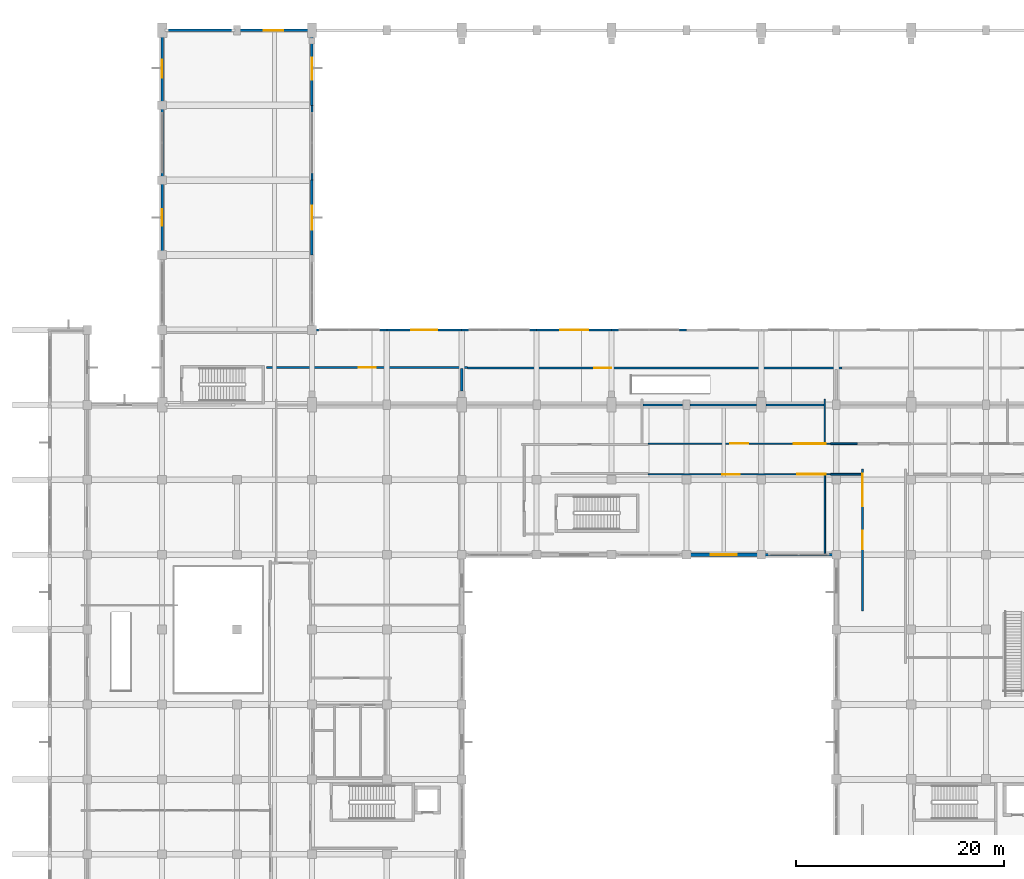
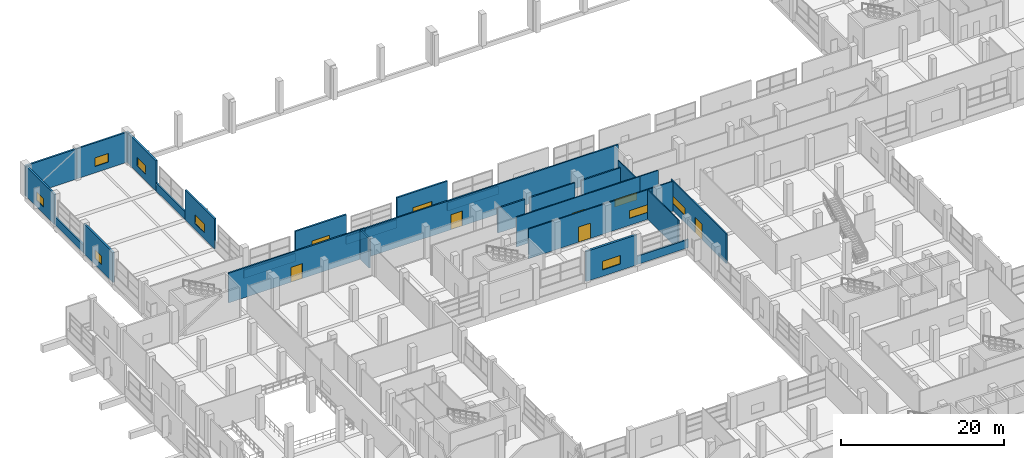
# One storey, part 162 of 181: 28 walls, 11 windows, 5 doors, 16 openings.
"""IFC4 building model written with IfcOpenShell, lengths in metres."""

from ifc_helpers import new_model, si_unit, direction, frame, frame_2d, origin, place, context, subcontext, project, spatial, rectangle, extrude, material, layer, layer_set, type_object, element, fill, save


model = new_model("IFC4")

# Units and contexts
model_context = context("Model", 3, precision=1e-05, world=origin(), true_north=direction((0.0, 1.0)))
body_context = subcontext(model_context, "Body", "Model", "MODEL_VIEW")
ifc_project = project(units=[si_unit("LENGTHUNIT", "METRE"), si_unit("AREAUNIT", "SQUARE_METRE"), si_unit("VOLUMEUNIT", "CUBIC_METRE"), si_unit("PLANEANGLEUNIT", "RADIAN"), si_unit("MASSUNIT", "GRAM", prefix="KILO")], contexts=[model_context])

# Site, building, storey
site_placement = place(None, origin())
site = spatial("IfcSite", under=ifc_project, at=site_placement, CompositionType="ELEMENT")
building_placement = place(site_placement, origin())
building = spatial("IfcBuilding", under=site, at=building_placement, Name="Seraya Terrace Polytechnic", CompositionType="ELEMENT")
storey_placement = place(building_placement, frame((0.0, 0.0, 4.800048828125)))
storey = spatial("IfcBuildingStorey", under=building, at=storey_placement, Name="L01", CompositionType="ELEMENT", Elevation=4.800048828125)

# Wall, opening, window
ifc_material_1 = material(Name="Concrete C40/50", Category="concrete")
ifc_layer_1 = layer(ifc_material_1, 0.300048828125, Name="EW-01")
ifc_layer_set_1 = layer_set([ifc_layer_1], Name="Concrete C40/50")
wall_type_1 = type_object("IfcWallType", Name="EW-01", PredefinedType="SOLIDWALL", material=ifc_layer_set_1)
wall_1_placement = place(storey_placement, frame((72.0, 64.800048828125, 0.0), z_axis=(0.0, 0.0, 1.0), x_axis=(-1.0, 0.0, 0.0)))
wall_1 = element("IfcWall", 1, at=wall_1_placement, inside=storey, type_object=wall_type_1, Name="Exterior structural wall EW-01 L01", PredefinedType="SOLIDWALL", context=body_context, shape_type="SweptSolid", body=[
    extrude(rectangle(XDim=7.199951171875, YDim=0.300048828125, at=frame_2d((3.60009765625, 0.0))), origin(), (0.0, 0.0, 1.0), 4.52001953125),
])
opening_1_placement = place(wall_1_placement, frame((2.35009765625, 0.0, 0.949951171875)))
opening_1 = element("IfcOpeningElement", 2, at=opening_1_placement, cuts=wall_1, Name="Opening WN-10", PredefinedType="OPENING", context=body_context, shape_type="SweptSolid", body=[
    extrude(rectangle(XDim=2.5, YDim=1.300048828125, at=frame_2d((1.25, 0.64990234375))), frame((0.0, 0.162109375, 0.0), z_axis=(0.0, -1.0, 0.0), x_axis=(1.0, 0.0, 0.0)), (0.0, 0.0, 1.0), 0.323974609375),
])
ifc_material_2 = material(Name="Laminated solar-control Low-E double glazing", Category="glass")
window_type_1 = type_object("IfcWindowType", Name="WN-10", PartitioningType="SINGLE_PANEL", PredefinedType="WINDOW", material=ifc_material_2)
window_1_placement = place(opening_1_placement, origin())
window_1 = element("IfcWindow", 3, at=window_1_placement, inside=storey, type_object=window_type_1, Name="Exterior window WN-10 L01", OverallHeight=1.300048828125, OverallWidth=2.5, PartitioningType="SINGLE_PANEL", PredefinedType="WINDOW", context=body_context, shape_type="SweptSolid", body=[
    extrude(rectangle(XDim=2.5, YDim=1.300048828125, at=frame_2d((1.25, 0.64990234375))), frame((0.0, 0.030029296875, 0.0), z_axis=(0.0, -1.0, 0.0), x_axis=(1.0, 0.0, 0.0)), (0.0, 0.0, 1.0), 0.06005859375),
])
fill(opening_1, window_1)

ifc_layer_2 = layer(ifc_material_1, 0.239990234375, Name="EW-04")
ifc_layer_set_2 = layer_set([ifc_layer_2], Name="Concrete C40/50")
wall_type_2 = type_object("IfcWallType", Name="EW-04", PredefinedType="SOLIDWALL", material=ifc_layer_set_2)
wall_2_placement = place(storey_placement, frame((14.39990234375, 93.60009765625, 0.0), z_axis=(0.0, 0.0, 1.0), x_axis=(0.0, 1.0, 0.0)))
wall_2 = element("IfcWall", 4, at=wall_2_placement, inside=storey, type_object=wall_type_2, Name="Exterior structural wall EW-04 L01", PredefinedType="SOLIDWALL", context=body_context, shape_type="SweptSolid", body=[
    extrude(rectangle(XDim=7.199951171875, YDim=0.239990234375, at=frame_2d((3.60009765625, 0.0))), origin(), (0.0, 0.0, 1.0), 4.52001953125),
])
opening_2_placement = place(wall_2_placement, frame((2.800048828125, 0.0, 0.949951171875)))
opening_2 = element("IfcOpeningElement", 5, at=opening_2_placement, cuts=wall_2, Name="Opening WN-05", PredefinedType="OPENING", context=body_context, shape_type="SweptSolid", body=[
    extrude(rectangle(XDim=1.60009765625, YDim=1.300048828125, at=frame_2d((0.800048828125, 0.64990234375))), frame((0.0, 0.1318359375, 0.0), z_axis=(0.0, -1.0, 0.0), x_axis=(1.0, 0.0, 0.0)), (0.0, 0.0, 1.0), 0.263916015625),
])
window_type_2 = type_object("IfcWindowType", Name="WN-05", PartitioningType="SINGLE_PANEL", PredefinedType="WINDOW", material=ifc_material_2)
window_2_placement = place(opening_2_placement, origin())
window_2 = element("IfcWindow", 6, at=window_2_placement, inside=storey, type_object=window_type_2, Name="Exterior window WN-05 L01", OverallHeight=1.300048828125, OverallWidth=1.60009765625, PartitioningType="SINGLE_PANEL", PredefinedType="WINDOW", context=body_context, shape_type="SweptSolid", body=[
    extrude(rectangle(XDim=1.60009765625, YDim=1.300048828125, at=frame_2d((0.800048828125, 0.64990234375))), frame((0.0, 0.030029296875, 0.0), z_axis=(0.0, -1.0, 0.0), x_axis=(1.0, 0.0, 0.0)), (0.0, 0.0, 1.0), 0.06005859375),
])
fill(opening_2, window_2)

wall_3_placement = place(storey_placement, frame((14.39990234375, 108.0, 0.0), z_axis=(0.0, 0.0, 1.0), x_axis=(0.0, 1.0, 0.0)))
wall_3 = element("IfcWall", 7, at=wall_3_placement, inside=storey, type_object=wall_type_2, Name="Exterior structural wall EW-04 L01", PredefinedType="SOLIDWALL", context=body_context, shape_type="SweptSolid", body=[
    extrude(rectangle(XDim=7.048095703125, YDim=0.239990234375, at=frame_2d((3.52392578125, 0.0))), origin(), (0.0, 0.0, 1.0), 4.52001953125),
])
opening_3_placement = place(wall_3_placement, frame((2.64892578125, 0.0, 0.949951171875)))
opening_3 = element("IfcOpeningElement", 8, at=opening_3_placement, cuts=wall_3, Name="Opening WN-06", PredefinedType="OPENING", context=body_context, shape_type="SweptSolid", body=[
    extrude(rectangle(XDim=1.75, YDim=1.300048828125, at=frame_2d((0.875, 0.64990234375))), frame((0.0, 0.1318359375, 0.0), z_axis=(0.0, -1.0, 0.0), x_axis=(1.0, 0.0, 0.0)), (0.0, 0.0, 1.0), 0.263916015625),
])
window_type_3 = type_object("IfcWindowType", Name="WN-06", PartitioningType="SINGLE_PANEL", PredefinedType="WINDOW", material=ifc_material_2)
window_3_placement = place(opening_3_placement, origin())
window_3 = element("IfcWindow", 9, at=window_3_placement, inside=storey, type_object=window_type_3, Name="Exterior window WN-06 L01", OverallHeight=1.300048828125, OverallWidth=1.75, PartitioningType="SINGLE_PANEL", PredefinedType="WINDOW", context=body_context, shape_type="SweptSolid", body=[
    extrude(rectangle(XDim=1.75, YDim=1.300048828125, at=frame_2d((0.875, 0.64990234375))), frame((0.0, 0.030029296875, 0.0), z_axis=(0.0, -1.0, 0.0), x_axis=(1.0, 0.0, 0.0)), (0.0, 0.0, 1.0), 0.06005859375),
])
fill(opening_3, window_3)

# Wall
wall_4_placement = place(storey_placement, frame((14.25, 115.199951171875, 0.0), z_axis=(0.0, 0.0, 1.0), x_axis=(1.0, 0.0, 0.0)))
element("IfcWall", 10, at=wall_4_placement, inside=storey, type_object=wall_type_2, Name="Exterior structural wall EW-04 L01", PredefinedType="SOLIDWALL", context=body_context, shape_type="SweptSolid", body=[
    extrude(rectangle(XDim=7.35009765625, YDim=0.239990234375, at=frame_2d((3.675048828125, 0.0))), origin(), (0.0, 0.0, 1.0), 4.52001953125),
])

# Wall, opening, window
wall_5_placement = place(storey_placement, frame((21.60009765625, 115.199951171875, 0.0), z_axis=(0.0, 0.0, 1.0), x_axis=(1.0, 0.0, 0.0)))
wall_5 = element("IfcWall", 11, at=wall_5_placement, inside=storey, type_object=wall_type_2, Name="Exterior structural wall EW-04 L01", PredefinedType="SOLIDWALL", context=body_context, shape_type="SweptSolid", body=[
    extrude(rectangle(XDim=7.349853515625, YDim=0.239990234375, at=frame_2d((3.6748046875, 0.0))), origin(), (0.0, 0.0, 1.0), 4.52001953125),
])
opening_4_placement = place(wall_5_placement, frame((2.550048828125, 0.0, 0.949951171875)))
opening_4 = element("IfcOpeningElement", 12, at=opening_4_placement, cuts=wall_5, Name="Opening WN-07", PredefinedType="OPENING", context=body_context, shape_type="SweptSolid", body=[
    extrude(rectangle(XDim=1.89990234375, YDim=1.300048828125, at=frame_2d((0.949951171875, 0.64990234375))), frame((0.0, 0.1318359375, 0.0), z_axis=(0.0, -1.0, 0.0), x_axis=(1.0, 0.0, 0.0)), (0.0, 0.0, 1.0), 0.263916015625),
])
window_type_4 = type_object("IfcWindowType", Name="WN-07", PartitioningType="SINGLE_PANEL", PredefinedType="WINDOW", material=ifc_material_2)
window_4_placement = place(opening_4_placement, origin())
window_4 = element("IfcWindow", 13, at=window_4_placement, inside=storey, type_object=window_type_4, Name="Exterior window WN-07 L01", OverallHeight=1.300048828125, OverallWidth=1.89990234375, PartitioningType="SINGLE_PANEL", PredefinedType="WINDOW", context=body_context, shape_type="SweptSolid", body=[
    extrude(rectangle(XDim=1.89990234375, YDim=1.300048828125, at=frame_2d((0.949951171875, 0.64990234375))), frame((0.0, 0.030029296875, 0.0), z_axis=(0.0, -1.0, 0.0), x_axis=(1.0, 0.0, 0.0)), (0.0, 0.0, 1.0), 0.06005859375),
])
fill(opening_4, window_4)

wall_6_placement = place(storey_placement, frame((28.800048828125, 115.048095703125, 0.0), z_axis=(0.0, 0.0, 1.0), x_axis=(0.0, -1.0, 0.0)))
wall_6 = element("IfcWall", 14, at=wall_6_placement, inside=storey, type_object=wall_type_2, Name="Exterior structural wall EW-04 L01", PredefinedType="SOLIDWALL", context=body_context, shape_type="SweptSolid", body=[
    extrude(rectangle(XDim=7.048095703125, YDim=0.239990234375, at=frame_2d((3.52392578125, 0.0))), origin(), (0.0, 0.0, 1.0), 4.52001953125),
])
opening_5_placement = place(wall_6_placement, frame((2.47412109375, 0.0, 0.949951171875)))
opening_5 = element("IfcOpeningElement", 15, at=opening_5_placement, cuts=wall_6, Name="Opening WN-08", PredefinedType="OPENING", context=body_context, shape_type="SweptSolid", body=[
    extrude(rectangle(XDim=2.10009765625, YDim=1.300048828125, at=frame_2d((1.050048828125, 0.64990234375))), frame((0.0, 0.1318359375, 0.0), z_axis=(0.0, -1.0, 0.0), x_axis=(1.0, 0.0, 0.0)), (0.0, 0.0, 1.0), 0.263916015625),
])
window_type_5 = type_object("IfcWindowType", Name="WN-08", PartitioningType="SINGLE_PANEL", PredefinedType="WINDOW", material=ifc_material_2)
window_5_placement = place(opening_5_placement, origin())
window_5 = element("IfcWindow", 16, at=window_5_placement, inside=storey, type_object=window_type_5, Name="Exterior window WN-08 L01", OverallHeight=1.300048828125, OverallWidth=2.10009765625, PartitioningType="SINGLE_PANEL", PredefinedType="WINDOW", context=body_context, shape_type="SweptSolid", body=[
    extrude(rectangle(XDim=2.10009765625, YDim=1.300048828125, at=frame_2d((1.050048828125, 0.64990234375))), frame((0.0, 0.030029296875, 0.0), z_axis=(0.0, -1.0, 0.0), x_axis=(1.0, 0.0, 0.0)), (0.0, 0.0, 1.0), 0.06005859375),
])
fill(opening_5, window_5)

wall_7_placement = place(storey_placement, frame((28.800048828125, 100.800048828125, 0.0), z_axis=(0.0, 0.0, 1.0), x_axis=(0.0, -1.0, 0.0)))
wall_7 = element("IfcWall", 17, at=wall_7_placement, inside=storey, type_object=wall_type_2, Name="Exterior structural wall EW-04 L01", PredefinedType="SOLIDWALL", context=body_context, shape_type="SweptSolid", body=[
    extrude(rectangle(XDim=7.199951171875, YDim=0.239990234375, at=frame_2d((3.60009765625, 0.0))), origin(), (0.0, 0.0, 1.0), 4.52001953125),
])
opening_6_placement = place(wall_7_placement, frame((2.449951171875, 0.0, 0.949951171875)))
opening_6 = element("IfcOpeningElement", 18, at=opening_6_placement, cuts=wall_7, Name="Opening WN-09", PredefinedType="OPENING", context=body_context, shape_type="SweptSolid", body=[
    extrude(rectangle(XDim=2.300048828125, YDim=1.300048828125, at=frame_2d((1.14990234375, 0.64990234375))), frame((0.0, 0.1318359375, 0.0), z_axis=(0.0, -1.0, 0.0), x_axis=(1.0, 0.0, 0.0)), (0.0, 0.0, 1.0), 0.263916015625),
])
window_type_6 = type_object("IfcWindowType", Name="WN-09", PartitioningType="SINGLE_PANEL", PredefinedType="WINDOW", material=ifc_material_2)
window_6_placement = place(opening_6_placement, origin())
window_6 = element("IfcWindow", 19, at=window_6_placement, inside=storey, type_object=window_type_6, Name="Exterior window WN-09 L01", OverallHeight=1.300048828125, OverallWidth=2.300048828125, PartitioningType="SINGLE_PANEL", PredefinedType="WINDOW", context=body_context, shape_type="SweptSolid", body=[
    extrude(rectangle(XDim=2.300048828125, YDim=1.300048828125, at=frame_2d((1.14990234375, 0.64990234375))), frame((0.0, 0.030029296875, 0.0), z_axis=(0.0, -1.0, 0.0), x_axis=(1.0, 0.0, 0.0)), (0.0, 0.0, 1.0), 0.06005859375),
])
fill(opening_6, window_6)

wall_8_placement = place(storey_placement, frame((36.0, 86.39990234375, 0.0), z_axis=(0.0, 0.0, 1.0), x_axis=(1.0, 0.0, 0.0)))
wall_8 = element("IfcWall", 20, at=wall_8_placement, inside=storey, type_object=wall_type_2, Name="Exterior structural wall EW-04 L01", PredefinedType="SOLIDWALL", context=body_context, shape_type="SweptSolid", body=[
    extrude(rectangle(XDim=7.199951171875, YDim=0.239990234375, at=frame_2d((3.60009765625, 0.0))), origin(), (0.0, 0.0, 1.0), 4.52001953125),
])
opening_7_placement = place(wall_8_placement, frame((2.35009765625, 0.0, 0.949951171875)))
opening_7 = element("IfcOpeningElement", 21, at=opening_7_placement, cuts=wall_8, Name="Opening WN-10", PredefinedType="OPENING", context=body_context, shape_type="SweptSolid", body=[
    extrude(rectangle(XDim=2.5, YDim=1.300048828125, at=frame_2d((1.25, 0.64990234375))), frame((0.0, 0.1318359375, 0.0), z_axis=(0.0, -1.0, 0.0), x_axis=(1.0, 0.0, 0.0)), (0.0, 0.0, 1.0), 0.263916015625),
])
window_7_placement = place(opening_7_placement, origin())
window_7 = element("IfcWindow", 22, at=window_7_placement, inside=storey, type_object=window_type_1, Name="Exterior window WN-10 L01", OverallHeight=1.300048828125, OverallWidth=2.5, PartitioningType="SINGLE_PANEL", PredefinedType="WINDOW", context=body_context, shape_type="SweptSolid", body=[
    extrude(rectangle(XDim=2.5, YDim=1.300048828125, at=frame_2d((1.25, 0.64990234375))), frame((0.0, 0.030029296875, 0.0), z_axis=(0.0, -1.0, 0.0), x_axis=(1.0, 0.0, 0.0)), (0.0, 0.0, 1.0), 0.06005859375),
])
fill(opening_7, window_7)

wall_9_placement = place(storey_placement, frame((50.39990234375, 86.39990234375, 0.0), z_axis=(0.0, 0.0, 1.0), x_axis=(1.0, 0.0, 0.0)))
wall_9 = element("IfcWall", 23, at=wall_9_placement, inside=storey, type_object=wall_type_2, Name="Exterior structural wall EW-04 L01", PredefinedType="SOLIDWALL", context=body_context, shape_type="SweptSolid", body=[
    extrude(rectangle(XDim=7.2001953125, YDim=0.239990234375, at=frame_2d((3.60009765625, 0.0))), origin(), (0.0, 0.0, 1.0), 4.52001953125),
])
opening_8_placement = place(wall_9_placement, frame((2.25, 0.0, 0.949951171875)))
opening_8 = element("IfcOpeningElement", 24, at=opening_8_placement, cuts=wall_9, Name="Opening WN-11", PredefinedType="OPENING", context=body_context, shape_type="SweptSolid", body=[
    extrude(rectangle(XDim=2.699951171875, YDim=1.300048828125, at=frame_2d((1.35009765625, 0.64990234375))), frame((0.0, 0.1318359375, 0.0), z_axis=(0.0, -1.0, 0.0), x_axis=(1.0, 0.0, 0.0)), (0.0, 0.0, 1.0), 0.263916015625),
])
window_type_7 = type_object("IfcWindowType", Name="WN-11", PartitioningType="SINGLE_PANEL", PredefinedType="WINDOW", material=ifc_material_2)
window_8_placement = place(opening_8_placement, origin())
window_8 = element("IfcWindow", 25, at=window_8_placement, inside=storey, type_object=window_type_7, Name="Exterior window WN-11 L01", OverallHeight=1.300048828125, OverallWidth=2.699951171875, PartitioningType="SINGLE_PANEL", PredefinedType="WINDOW", context=body_context, shape_type="SweptSolid", body=[
    extrude(rectangle(XDim=2.699951171875, YDim=1.300048828125, at=frame_2d((1.35009765625, 0.64990234375))), frame((0.0, 0.030029296875, 0.0), z_axis=(0.0, -1.0, 0.0), x_axis=(1.0, 0.0, 0.0)), (0.0, 0.0, 1.0), 0.06005859375),
])
fill(opening_8, window_8)

# Walls
ifc_material_3 = material(Name="Precast concrete C40/50", Category="concrete")
ifc_layer_3 = layer(ifc_material_3, 0.219970703125, Name="EW-05")
ifc_layer_set_3 = layer_set([ifc_layer_3], Name="Precast concrete C40/50")
wall_type_3 = type_object("IfcWallType", Name="EW-05", PredefinedType="SOLIDWALL", material=ifc_layer_set_3)
for number, where, z_axis, x_axis, name in (
    (26, (14.39990234375, 100.800048828125, 0.0), (0.0, 0.0, 1.0), (0.0, 1.0, 0.0), "Precast spandrel wall L01"),
    (27, (28.800048828125, 108.0, 0.0), (0.0, 0.0, 1.0), (0.0, -1.0, 0.0), "Precast spandrel wall L01"),
):
    element("IfcWall", number, at=place(storey_placement, frame(where, z_axis=z_axis, x_axis=x_axis)), inside=storey, type_object=wall_type_3, Name=name, PredefinedType="SOLIDWALL", context=body_context, shape_type="SweptSolid", body=[
        extrude(rectangle(XDim=7.199951171875, YDim=0.219970703125, at=frame_2d((3.60009765625, 0.0))), origin(), (0.0, 0.0, 1.0), 1.239990234375),
    ])
wall_10_placement = place(storey_placement, frame((28.64990234375, 86.39990234375, 0.0), z_axis=(0.0, 0.0, 1.0), x_axis=(1.0, 0.0, 0.0)))
element("IfcWall", 28, at=wall_10_placement, inside=storey, type_object=wall_type_3, Name="Precast spandrel wall L01", PredefinedType="SOLIDWALL", context=body_context, shape_type="SweptSolid", body=[
    extrude(rectangle(XDim=7.35009765625, YDim=0.219970703125, at=frame_2d((3.675048828125, 0.0))), origin(), (0.0, 0.0, 1.0), 1.239990234375),
])
for number, where, z_axis, x_axis, name in (
    (29, (43.199951171875, 86.39990234375, 0.0), (0.0, 0.0, 1.0), (1.0, 0.0, 0.0), "Precast spandrel wall L01"),
    (30, (57.60009765625, 86.39990234375, 0.0), (0.0, 0.0, 1.0), (1.0, 0.0, 0.0), "Precast spandrel wall L01"),
):
    element("IfcWall", number, at=place(storey_placement, frame(where, z_axis=z_axis, x_axis=x_axis)), inside=storey, type_object=wall_type_3, Name=name, PredefinedType="SOLIDWALL", context=body_context, shape_type="SweptSolid", body=[
        extrude(rectangle(XDim=7.199951171875, YDim=0.219970703125, at=frame_2d((3.60009765625, 0.0))), origin(), (0.0, 0.0, 1.0), 1.239990234375),
    ])
wall_11_placement = place(storey_placement, frame((79.35009765625, 64.800048828125, 0.0), z_axis=(0.0, 0.0, 1.0), x_axis=(-1.0, 0.0, 0.0)))
element("IfcWall", 31, at=wall_11_placement, inside=storey, type_object=wall_type_3, Name="Precast spandrel wall L01", PredefinedType="SOLIDWALL", context=body_context, shape_type="SweptSolid", body=[
    extrude(rectangle(XDim=7.35009765625, YDim=0.219970703125, at=frame_2d((3.675048828125, 0.0))), origin(), (0.0, 0.0, 1.0), 1.239990234375),
])

# Wall, opening, door
ifc_material_4 = material(Name="Autoclaved aerated concrete blockwork", Category="masonry")
ifc_layer_4 = layer(ifc_material_4, 0.199951171875, Name="PT-01")
ifc_layer_set_4 = layer_set([ifc_layer_4], Name="Autoclaved aerated concrete blockwork")
wall_type_4 = type_object("IfcWallType", Name="PT-01", PredefinedType="PARTITIONING", material=ifc_layer_set_4)
wall_12_placement = place(storey_placement, frame((24.429931640625, 82.800048828125, 0.0), z_axis=(0.0, 0.0, 1.0), x_axis=(1.0, 0.0, 0.0)))
wall_12 = element("IfcWall", 32, at=wall_12_placement, inside=storey, type_object=wall_type_4, Name="Internal partition PT-01 L01", PredefinedType="PARTITIONING", context=body_context, shape_type="SweptSolid", body=[
    extrude(rectangle(XDim=19.341552734375, YDim=0.199951171875, at=frame_2d((9.6708984375, 0.0))), origin(), (0.0, 0.0, 1.0), 4.4599609375),
])
opening_9_placement = place(wall_12_placement, frame((8.850830078125, 0.0, 0.0)))
opening_9 = element("IfcOpeningElement", 33, at=opening_9_placement, cuts=wall_12, Name="Opening FD-03", PredefinedType="OPENING", context=body_context, shape_type="SweptSolid", body=[
    extrude(rectangle(XDim=1.639892578125, YDim=2.239990234375, at=frame_2d((0.81982421875, 1.1201171875))), frame((0.0, 0.11181640625, 0.0), z_axis=(0.0, -1.0, 0.0), x_axis=(1.0, 0.0, 0.0)), (0.0, 0.0, 1.0), 0.223876953125),
])
ifc_material_5 = material(Name="Steel S355J2", Category="steel")
door_type_1 = type_object("IfcDoorType", Name="FD-03", OperationType="DOUBLE_DOOR_SINGLE_SWING", PredefinedType="DOOR", material=ifc_material_5)
door_1_placement = place(opening_9_placement, origin())
door_1 = element("IfcDoor", 34, at=door_1_placement, inside=storey, type_object=door_type_1, Name="Door FD-03 DR-INT-L01-0070 in WL-INT-L01-0316", OperationType="DOUBLE_DOOR_SINGLE_SWING", OverallHeight=2.239990234375, OverallWidth=1.639892578125, PredefinedType="DOOR", context=body_context, shape_type="SweptSolid", body=[
    extrude(rectangle(XDim=1.639892578125, YDim=2.239990234375, at=frame_2d((0.81982421875, 1.1201171875))), frame((0.0, 0.02490234375, 0.0), z_axis=(0.0, -1.0, 0.0), x_axis=(1.0, 0.0, 0.0)), (0.0, 0.0, 1.0), 0.050048828125),
])
fill(opening_9, door_1)

wall_13_placement = place(storey_placement, frame((43.771484375, 82.72998046875, 0.0), z_axis=(0.0, 0.0, 1.0), x_axis=(1.0, 0.0, 0.0)))
wall_13 = element("IfcWall", 35, at=wall_13_placement, inside=storey, type_object=wall_type_4, Name="Internal partition PT-01 L01", PredefinedType="PARTITIONING", context=body_context, shape_type="SweptSolid", body=[
    extrude(rectangle(XDim=35.988525390625, YDim=0.199951171875, at=frame_2d((17.994140625, 0.0))), origin(), (0.0, 0.0, 1.0), 4.4599609375),
])
opening_10_placement = place(wall_13_placement, frame((12.17431640625, 0.0, 0.0)))
opening_10 = element("IfcOpeningElement", 36, at=opening_10_placement, cuts=wall_13, Name="Opening FD-03", PredefinedType="OPENING", context=body_context, shape_type="SweptSolid", body=[
    extrude(rectangle(XDim=1.639892578125, YDim=2.239990234375, at=frame_2d((0.81982421875, 1.1201171875))), frame((0.0, 0.11181640625, 0.0), z_axis=(0.0, -1.0, 0.0), x_axis=(1.0, 0.0, 0.0)), (0.0, 0.0, 1.0), 0.223876953125),
])
door_2_placement = place(opening_10_placement, origin())
door_2 = element("IfcDoor", 37, at=door_2_placement, inside=storey, type_object=door_type_1, Name="Door FD-03 DR-INT-L01-0068 in WL-INT-L01-0317", OperationType="DOUBLE_DOOR_SINGLE_SWING", OverallHeight=2.239990234375, OverallWidth=1.639892578125, PredefinedType="DOOR", context=body_context, shape_type="SweptSolid", body=[
    extrude(rectangle(XDim=1.639892578125, YDim=2.239990234375, at=frame_2d((0.81982421875, 1.1201171875))), frame((0.0, 0.02490234375, 0.0), z_axis=(0.0, -1.0, 0.0), x_axis=(1.0, 0.0, 0.0)), (0.0, 0.0, 1.0), 0.050048828125),
])
fill(opening_10, door_2)

# Walls
wall_14_placement = place(storey_placement, frame((65.159912109375, 79.199951171875, 0.0), z_axis=(0.0, 0.0, 1.0), x_axis=(1.0, 0.0, 0.0)))
element("IfcWall", 38, at=wall_14_placement, inside=storey, type_object=wall_type_4, Name="Internal partition PT-01 L01", PredefinedType="PARTITIONING", context=body_context, shape_type="SweptSolid", body=[
    extrude(rectangle(XDim=6.380126953125, YDim=0.199951171875, at=frame_2d((3.18994140625, 0.0))), origin(), (0.0, 0.0, 1.0), 3.72998046875),
])
wall_15_placement = place(storey_placement, frame((72.4599609375, 79.199951171875, 0.0), z_axis=(0.0, 0.0, 1.0), x_axis=(1.0, 0.0, 0.0)))
element("IfcWall", 39, at=wall_15_placement, inside=storey, type_object=wall_type_4, Name="Internal partition PT-01 L01", PredefinedType="PARTITIONING", context=body_context, shape_type="SweptSolid", body=[
    extrude(rectangle(XDim=5.567138671875, YDim=0.199951171875, at=frame_2d((2.78369140625, 0.0))), origin(), (0.0, 0.0, 1.0), 3.72998046875),
])
wall_16_placement = place(storey_placement, frame((60.61669921875, 79.199951171875, 0.0), z_axis=(0.0, 0.0, 1.0), x_axis=(1.0, 0.0, 0.0)))
element("IfcWall", 40, at=wall_16_placement, inside=storey, type_object=wall_type_4, Name="Internal partition PT-01 L01", PredefinedType="PARTITIONING", context=body_context, shape_type="SweptSolid", body=[
    extrude(rectangle(XDim=3.8232421875, YDim=0.199951171875, at=frame_2d((1.91162109375, 0.0))), origin(), (0.0, 0.0, 1.0), 3.72998046875),
])
wall_17_placement = place(storey_placement, frame((43.199951171875, 80.530029296875, 0.0), z_axis=(0.0, 0.0, 1.0), x_axis=(0.0, 1.0, 0.0)))
element("IfcWall", 41, at=wall_17_placement, inside=storey, type_object=wall_type_4, Name="Internal partition PT-01 L01", PredefinedType="PARTITIONING", context=body_context, shape_type="SweptSolid", body=[
    extrude(rectangle(XDim=2.155029296875, YDim=0.199951171875, at=frame_2d((1.07763671875, 0.0))), origin(), (0.0, 0.0, 1.0), 4.4599609375),
])

# Wall, openings, door, window
ifc_layer_5 = layer(ifc_material_4, 0.169921875, Name="PT-02")
ifc_layer_set_5 = layer_set([ifc_layer_5], Name="Autoclaved aerated concrete blockwork")
wall_type_5 = type_object("IfcWallType", Name="PT-02", PredefinedType="PARTITIONING", material=ifc_layer_set_5)
wall_18_placement = place(storey_placement, frame((81.72998046875, 59.39501953125, 0.0), z_axis=(0.0, 0.0, 1.0), x_axis=(0.0, 1.0, 0.0)))
wall_18 = element("IfcWall", 42, at=wall_18_placement, inside=storey, type_object=wall_type_5, Name="Internal partition PT-02 L01", PredefinedType="PARTITIONING", context=body_context, shape_type="SweptSolid", body=[
    extrude(rectangle(XDim=13.625, YDim=0.169921875, at=frame_2d((6.8125, 0.0))), origin(), (0.0, 0.0, 1.0), 4.4599609375),
])
opening_11_placement = place(wall_18_placement, frame((5.9326171875, 0.0, 0.0)))
opening_11 = element("IfcOpeningElement", 43, at=opening_11_placement, cuts=wall_18, Name="Opening ID-14", PredefinedType="OPENING", context=body_context, shape_type="SweptSolid", body=[
    extrude(rectangle(XDim=1.760009765625, YDim=2.300048828125, at=frame_2d((0.8798828125, 1.14990234375))), frame((0.0, 0.096923828125, 0.0), z_axis=(0.0, -1.0, 0.0), x_axis=(1.0, 0.0, 0.0)), (0.0, 0.0, 1.0), 0.19384765625),
])
opening_12_placement = place(wall_18_placement, frame((10.074951171875, 0.0, 1.050048828125)))
opening_12 = element("IfcOpeningElement", 44, at=opening_12_placement, cuts=wall_18, Name="Opening IW-06", PredefinedType="OPENING", context=body_context, shape_type="SweptSolid", body=[
    extrude(rectangle(XDim=3.10009765625, YDim=1.14990234375, at=frame_2d((1.550048828125, 0.574951171875))), frame((0.0, 0.096923828125, 0.0), z_axis=(0.0, -1.0, 0.0), x_axis=(1.0, 0.0, 0.0)), (0.0, 0.0, 1.0), 0.19384765625),
])
ifc_material_6 = material(Name="Malaysian dark red meranti hardwood timber D40", Category="wood")
door_type_2 = type_object("IfcDoorType", Name="ID-14", OperationType="DOUBLE_DOOR_SINGLE_SWING", PredefinedType="DOOR", material=ifc_material_6)
door_3_placement = place(opening_11_placement, frame((1.760009765625, 0.0, 0.0), z_axis=(0.0, 0.0, 1.0), x_axis=(-1.0, 0.0, 0.0)))
door_3 = element("IfcDoor", 45, at=door_3_placement, inside=storey, type_object=door_type_2, Name="Door ID-14 DR-INT-L01-0107 in WL-INT-L01-0279", OperationType="DOUBLE_DOOR_SINGLE_SWING", OverallHeight=2.300048828125, OverallWidth=1.760009765625, PredefinedType="DOOR", context=body_context, shape_type="SweptSolid", body=[
    extrude(rectangle(XDim=1.760009765625, YDim=2.300048828125, at=frame_2d((0.8798828125, 1.14990234375))), frame((0.0, 0.02490234375, 0.0), z_axis=(0.0, -1.0, 0.0), x_axis=(1.0, 0.0, 0.0)), (0.0, 0.0, 1.0), 0.050048828125),
])
fill(opening_11, door_3)
window_type_8 = type_object("IfcWindowType", Name="IW-06", PartitioningType="SINGLE_PANEL", PredefinedType="WINDOW", material=ifc_material_2)
window_9_placement = place(opening_12_placement, origin())
window_9 = element("IfcWindow", 46, at=window_9_placement, inside=storey, type_object=window_type_8, Name="Internal lab vision window IW-06 L01", OverallHeight=1.14990234375, OverallWidth=3.10009765625, PartitioningType="SINGLE_PANEL", PredefinedType="WINDOW", context=body_context, shape_type="SweptSolid", body=[
    extrude(rectangle(XDim=3.10009765625, YDim=1.14990234375, at=frame_2d((1.550048828125, 0.574951171875))), frame((0.0, 0.030029296875, 0.0), z_axis=(0.0, -1.0, 0.0), x_axis=(1.0, 0.0, 0.0)), (0.0, 0.0, 1.0), 0.06005859375),
])
fill(opening_12, window_9)

wall_19_placement = place(storey_placement, frame((61.09814453125, 72.530029296875, 0.0), z_axis=(0.0, 0.0, 1.0), x_axis=(1.0, 0.0, 0.0)))
wall_19 = element("IfcWall", 47, at=wall_19_placement, inside=storey, type_object=wall_type_5, Name="Internal partition PT-02 L01", PredefinedType="PARTITIONING", context=body_context, shape_type="SweptSolid", body=[
    extrude(rectangle(XDim=17.56396484375, YDim=0.169921875, at=frame_2d((8.781982421875, 0.0))), origin(), (0.0, 0.0, 1.0), 4.4599609375),
])
opening_13_placement = place(wall_19_placement, frame((7.14208984375, 0.0, 0.0)))
opening_13 = element("IfcOpeningElement", 48, at=opening_13_placement, cuts=wall_19, Name="Opening ID-13", PredefinedType="OPENING", context=body_context, shape_type="SweptSolid", body=[
    extrude(rectangle(XDim=1.679931640625, YDim=2.280029296875, at=frame_2d((0.83984375, 1.14013671875))), frame((0.0, 0.096923828125, 0.0), z_axis=(0.0, -1.0, 0.0), x_axis=(1.0, 0.0, 0.0)), (0.0, 0.0, 1.0), 0.19384765625),
])
opening_14_placement = place(wall_19_placement, frame((14.364013671875, 0.0, 1.050048828125)))
opening_14 = element("IfcOpeningElement", 49, at=opening_14_placement, cuts=wall_19, Name="Opening IW-05", PredefinedType="OPENING", context=body_context, shape_type="SweptSolid", body=[
    extrude(rectangle(XDim=2.75, YDim=1.14990234375, at=frame_2d((1.375, 0.574951171875))), frame((0.0, 0.096923828125, 0.0), z_axis=(0.0, -1.0, 0.0), x_axis=(1.0, 0.0, 0.0)), (0.0, 0.0, 1.0), 0.19384765625),
])
door_type_3 = type_object("IfcDoorType", Name="ID-13", OperationType="DOUBLE_DOOR_SINGLE_SWING", PredefinedType="DOOR", material=ifc_material_6)
door_4_placement = place(opening_13_placement, origin())
door_4 = element("IfcDoor", 50, at=door_4_placement, inside=storey, type_object=door_type_3, Name="Door ID-13 DR-INT-L01-0074 in WL-INT-L01-0288", OperationType="DOUBLE_DOOR_SINGLE_SWING", OverallHeight=2.280029296875, OverallWidth=1.679931640625, PredefinedType="DOOR", context=body_context, shape_type="SweptSolid", body=[
    extrude(rectangle(XDim=1.679931640625, YDim=2.280029296875, at=frame_2d((0.83984375, 1.14013671875))), frame((0.0, 0.02490234375, 0.0), z_axis=(0.0, -1.0, 0.0), x_axis=(1.0, 0.0, 0.0)), (0.0, 0.0, 1.0), 0.050048828125),
])
fill(opening_13, door_4)
window_type_9 = type_object("IfcWindowType", Name="IW-05", PartitioningType="SINGLE_PANEL", PredefinedType="WINDOW", material=ifc_material_2)
window_10_placement = place(opening_14_placement, origin())
window_10 = element("IfcWindow", 51, at=window_10_placement, inside=storey, type_object=window_type_9, Name="Internal lab vision window IW-05 L01", OverallHeight=1.14990234375, OverallWidth=2.75, PartitioningType="SINGLE_PANEL", PredefinedType="WINDOW", context=body_context, shape_type="SweptSolid", body=[
    extrude(rectangle(XDim=2.75, YDim=1.14990234375, at=frame_2d((1.375, 0.574951171875))), frame((0.0, 0.030029296875, 0.0), z_axis=(0.0, -1.0, 0.0), x_axis=(1.0, 0.0, 0.0)), (0.0, 0.0, 1.0), 0.06005859375),
])
fill(opening_14, window_10)

wall_20_placement = place(storey_placement, frame((61.09814453125, 75.469970703125, 0.0), z_axis=(0.0, 0.0, 1.0), x_axis=(1.0, 0.0, 0.0)))
wall_20 = element("IfcWall", 52, at=wall_20_placement, inside=storey, type_object=wall_type_5, Name="Internal partition PT-02 L01", PredefinedType="PARTITIONING", context=body_context, shape_type="SweptSolid", body=[
    extrude(rectangle(XDim=17.56396484375, YDim=0.169921875, at=frame_2d((8.781982421875, 0.0))), origin(), (0.0, 0.0, 1.0), 4.4599609375),
])
opening_15_placement = place(wall_20_placement, frame((7.902099609375, 0.0, 0.0)))
opening_15 = element("IfcOpeningElement", 53, at=opening_15_placement, cuts=wall_20, Name="Opening ID-14", PredefinedType="OPENING", context=body_context, shape_type="SweptSolid", body=[
    extrude(rectangle(XDim=1.760009765625, YDim=2.300048828125, at=frame_2d((0.8798828125, 1.14990234375))), frame((0.0, 0.096923828125, 0.0), z_axis=(0.0, -1.0, 0.0), x_axis=(1.0, 0.0, 0.0)), (0.0, 0.0, 1.0), 0.19384765625),
])
opening_16_placement = place(wall_20_placement, frame((14.013916015625, 0.0, 1.050048828125)))
opening_16 = element("IfcOpeningElement", 54, at=opening_16_placement, cuts=wall_20, Name="Opening IW-06", PredefinedType="OPENING", context=body_context, shape_type="SweptSolid", body=[
    extrude(rectangle(XDim=3.10009765625, YDim=1.14990234375, at=frame_2d((1.550048828125, 0.574951171875))), frame((0.0, 0.096923828125, 0.0), z_axis=(0.0, -1.0, 0.0), x_axis=(1.0, 0.0, 0.0)), (0.0, 0.0, 1.0), 0.19384765625),
])
door_5_placement = place(opening_15_placement, frame((1.760009765625, 0.0, 0.0), z_axis=(0.0, 0.0, 1.0), x_axis=(-1.0, 0.0, 0.0)))
door_5 = element("IfcDoor", 55, at=door_5_placement, inside=storey, type_object=door_type_2, Name="Door ID-14 DR-INT-L01-0075 in WL-INT-L01-0289", OperationType="DOUBLE_DOOR_SINGLE_SWING", OverallHeight=2.300048828125, OverallWidth=1.760009765625, PredefinedType="DOOR", context=body_context, shape_type="SweptSolid", body=[
    extrude(rectangle(XDim=1.760009765625, YDim=2.300048828125, at=frame_2d((0.8798828125, 1.14990234375))), frame((0.0, 0.02490234375, 0.0), z_axis=(0.0, -1.0, 0.0), x_axis=(1.0, 0.0, 0.0)), (0.0, 0.0, 1.0), 0.050048828125),
])
fill(opening_15, door_5)
window_11_placement = place(opening_16_placement, origin())
window_11 = element("IfcWindow", 56, at=window_11_placement, inside=storey, type_object=window_type_8, Name="Internal lab vision window IW-06 L01", OverallHeight=1.14990234375, OverallWidth=3.10009765625, PartitioningType="SINGLE_PANEL", PredefinedType="WINDOW", context=body_context, shape_type="SweptSolid", body=[
    extrude(rectangle(XDim=3.10009765625, YDim=1.14990234375, at=frame_2d((1.550048828125, 0.574951171875))), frame((0.0, 0.030029296875, 0.0), z_axis=(0.0, -1.0, 0.0), x_axis=(1.0, 0.0, 0.0)), (0.0, 0.0, 1.0), 0.06005859375),
])
fill(opening_16, window_11)

# Walls
wall_21_placement = place(storey_placement, frame((78.662109375, 72.530029296875, 0.0), z_axis=(0.0, 0.0, 1.0), x_axis=(1.0, 0.0, 0.0)))
element("IfcWall", 57, at=wall_21_placement, inside=storey, type_object=wall_type_5, Name="Internal partition PT-02 L01", PredefinedType="PARTITIONING", context=body_context, shape_type="SweptSolid", body=[
    extrude(rectangle(XDim=2.9677734375, YDim=0.169921875, at=frame_2d((1.48388671875, 0.0))), origin(), (0.0, 0.0, 1.0), 4.4599609375),
])
wall_22_placement = place(storey_placement, frame((78.662109375, 75.469970703125, 0.0), z_axis=(0.0, 0.0, 1.0), x_axis=(1.0, 0.0, 0.0)))
element("IfcWall", 58, at=wall_22_placement, inside=storey, type_object=wall_type_5, Name="Internal partition PT-02 L01", PredefinedType="PARTITIONING", context=body_context, shape_type="SweptSolid", body=[
    extrude(rectangle(XDim=2.577880859375, YDim=0.169921875, at=frame_2d((1.2890625, 0.0))), origin(), (0.0, 0.0, 1.0), 4.4599609375),
])
ifc_layer_6 = layer(ifc_material_4, 0.14990234375, Name="PT-03")
ifc_layer_set_6 = layer_set([ifc_layer_6], Name="Autoclaved aerated concrete blockwork")
wall_type_6 = type_object("IfcWallType", Name="PT-03", PredefinedType="PARTITIONING", material=ifc_layer_set_6)
wall_23_placement = place(storey_placement, frame((78.102294921875, 64.922119140625, 0.0), z_axis=(0.0, 0.0, 1.0), x_axis=(0.0, 1.0, 0.0)))
element("IfcWall", 59, at=wall_23_placement, inside=storey, type_object=wall_type_6, Name="Internal partition PT-03 L01", PredefinedType="PARTITIONING", context=body_context, shape_type="SweptSolid", body=[
    extrude(rectangle(XDim=7.5078125, YDim=0.14990234375, at=frame_2d((3.75390625, 0.0))), origin(), (0.0, 0.0, 1.0), 4.4599609375),
])
ifc_layer_7 = layer(ifc_material_4, 0.1201171875, Name="PT-05")
ifc_layer_set_7 = layer_set([ifc_layer_7], Name="Autoclaved aerated concrete blockwork")
wall_type_7 = type_object("IfcWallType", Name="PT-05", PredefinedType="PARTITIONING", material=ifc_layer_set_7)
wall_24_placement = place(storey_placement, frame((78.102294921875, 75.570068359375, 0.0), z_axis=(0.0, 0.0, 1.0), x_axis=(0.0, 1.0, 0.0)))
element("IfcWall", 60, at=wall_24_placement, inside=storey, type_object=wall_type_7, Name="Internal partition PT-05 L01", PredefinedType="PARTITIONING", context=body_context, shape_type="SweptSolid", body=[
    extrude(rectangle(XDim=4.18994140625, YDim=0.1201171875, at=frame_2d((2.094970703125, 0.0))), origin(), (0.0, 0.0, 1.0), 4.4599609375),
])

save(model, "model.ifc")
